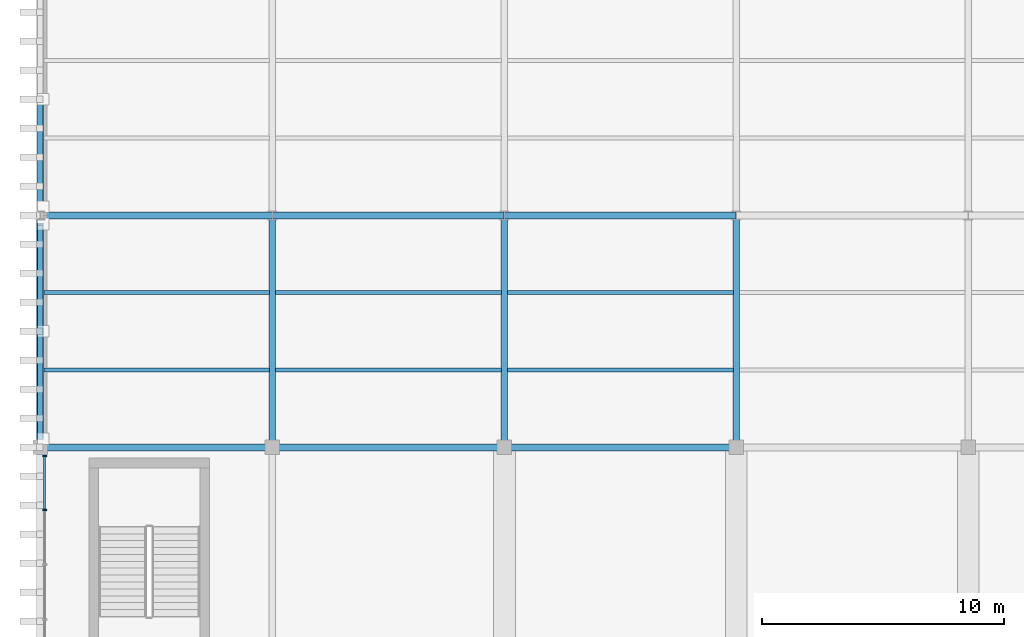
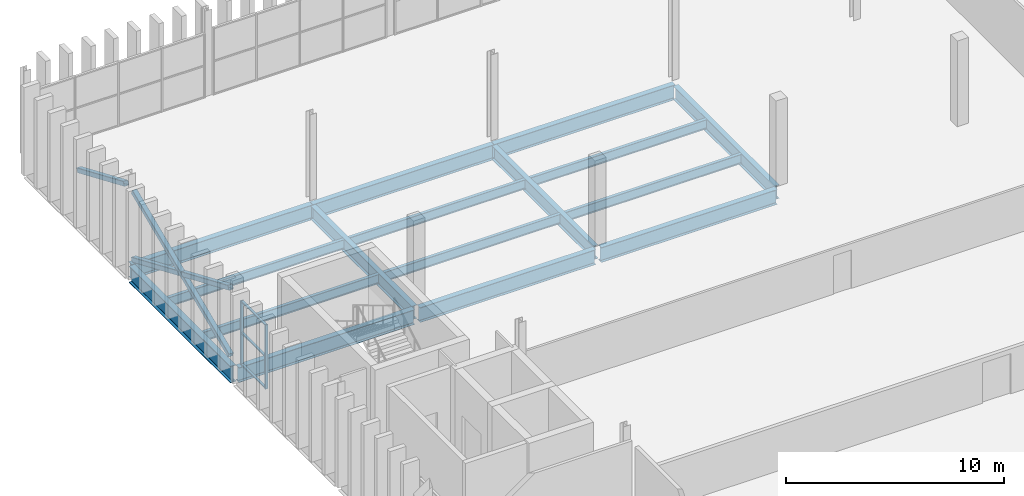
# One storey, part 24 of 99: 16 beams, 9 members, 1 element without a shape of its own.
"""IFC4 building model written with IfcOpenShell, lengths in metres."""

from ifc_helpers import new_model, si_unit, direction, frame, origin, origin_2d, place, context, subcontext, project, spatial, rectangle, hollow_rectangle, i_section, extrude, material, layer, layer_set, material_profile, profile_set, type_object, element, aggregate, save


model = new_model("IFC4")

# Units and contexts
model_context = context("Model", 3, precision=1e-05, world=origin(), true_north=direction((0.0, 1.0)))
body_context = subcontext(model_context, "Body", "Model", "MODEL_VIEW")
ifc_project = project(units=[si_unit("LENGTHUNIT", "METRE"), si_unit("AREAUNIT", "SQUARE_METRE"), si_unit("VOLUMEUNIT", "CUBIC_METRE"), si_unit("PLANEANGLEUNIT", "RADIAN"), si_unit("MASSUNIT", "GRAM", prefix="KILO")], contexts=[model_context])

# Site, building, storey
site_placement = place(None, origin())
site = spatial("IfcSite", under=ifc_project, at=site_placement, CompositionType="ELEMENT")
building_placement = place(site_placement, origin())
building = spatial("IfcBuilding", under=site, at=building_placement, Name="Caelomonte Colonnade Arena", CompositionType="ELEMENT")
storey_placement = place(building_placement, frame((0.0, 0.0, 4.800048828125)))
storey = spatial("IfcBuildingStorey", under=building, at=storey_placement, Name="L01", CompositionType="ELEMENT", Elevation=4.800048828125)

# Curtain wall, members
ifc_material_1 = material(Name="Bronze anodised aluminium and low-E glazing", Category="aluminium")
ifc_layer = layer(ifc_material_1, 0.179931640625)
ifc_layer_set = layer_set([ifc_layer], Name="Bronze anodised aluminium and low-E glazing")
curtain_wall_type = type_object("IfcCurtainWallType", Name="ENV-CW-CW-L01-96-36", PredefinedType="USERDEFINED", material=ifc_layer_set)
curtain_wall_placement = place(storey_placement, origin())
curtain_wall = element("IfcCurtainWall", 1, at=curtain_wall_placement, inside=storey, type_object=curtain_wall_type, Name="L01 unitized curtain wall CW-L01-0002-0624", ObjectType="UNITIZED CURTAIN WALL", PredefinedType="USERDEFINED")
ifc_material_2 = material(Name="Bronze anodised aluminium AA6063-T6", Category="aluminium")
ifc_material_profile_1 = material_profile(ifc_material_2, rectangle(XDim=0.06494140625, YDim=0.14990234375, at=origin_2d()), Name="CWM-65X150")
ifc_profile_set_1 = profile_set([ifc_material_profile_1], Name="Bronze anodised aluminium AA6063-T6")
member_type_1 = type_object("IfcMemberType", Name="ENV-CW-MULL2", PredefinedType="MULLION", material=ifc_profile_set_1)
member_1_placement = place(storey_placement, frame((0.179931640625, 66.847412109375, 0.0), z_axis=(0.0, 0.0, 1.0), x_axis=(0.0, -1.0, 0.0)))
member_1 = element("IfcMember", 2, at=member_1_placement, type_object=member_type_1, Name="CW-L01-96-36 mullion 1", PredefinedType="MULLION", context=body_context, shape_type="SweptSolid", body=[
    extrude(rectangle(XDim=0.06494140625, YDim=0.14990234375, at=origin_2d()), origin(), (0.0, 0.0, 1.0), 3.593017578125),
])
member_2_placement = place(storey_placement, frame((0.179931640625, 64.611083984375, 0.0), z_axis=(0.0, 0.0, 1.0), x_axis=(0.0, -1.0, 0.0)))
member_2 = element("IfcMember", 3, at=member_2_placement, type_object=member_type_1, Name="CW-L01-96-36 mullion 2", PredefinedType="MULLION", context=body_context, shape_type="SweptSolid", body=[
    extrude(rectangle(XDim=0.06494140625, YDim=0.14990234375, at=origin_2d()), origin(), (0.0, 0.0, 1.0), 3.593017578125),
])
ifc_material_profile_2 = material_profile(ifc_material_2, rectangle(XDim=0.06494140625, YDim=0.1201171875, at=origin_2d()), Name="CWT-65X120")
ifc_profile_set_2 = profile_set([ifc_material_profile_2], Name="Bronze anodised aluminium AA6063-T6")
member_type_2 = type_object("IfcMemberType", Name="ENV-CW-TRAN2", PredefinedType="USERDEFINED", material=ifc_profile_set_2)
member_3_placement = place(storey_placement, frame((0.179931640625, 66.81494140625, 0.032470703125), z_axis=(0.0, -1.0, 0.0), x_axis=(0.0, 0.0, 1.0)))
member_3 = element("IfcMember", 4, at=member_3_placement, type_object=member_type_2, Name="CW-L01-96-36 transom 1.1", ObjectType="TRANSOM", PredefinedType="USERDEFINED", context=body_context, shape_type="SweptSolid", body=[
    extrude(rectangle(XDim=0.06494140625, YDim=0.1201171875, at=origin_2d()), origin(), (0.0, 0.0, 1.0), 2.17138671875),
])
member_4_placement = place(storey_placement, frame((0.179931640625, 66.81494140625, 1.79638671875), z_axis=(0.0, -1.0, 0.0), x_axis=(0.0, 0.0, 1.0)))
member_4 = element("IfcMember", 5, at=member_4_placement, type_object=member_type_2, Name="CW-L01-96-36 transom 1.2", ObjectType="TRANSOM", PredefinedType="USERDEFINED", context=body_context, shape_type="SweptSolid", body=[
    extrude(rectangle(XDim=0.06494140625, YDim=0.1201171875, at=origin_2d()), origin(), (0.0, 0.0, 1.0), 2.17138671875),
])
member_5_placement = place(storey_placement, frame((0.179931640625, 66.81494140625, 3.560546875), z_axis=(0.0, -1.0, 0.0), x_axis=(0.0, 0.0, 1.0)))
member_5 = element("IfcMember", 6, at=member_5_placement, type_object=member_type_2, Name="CW-L01-96-36 transom 1.3", ObjectType="TRANSOM", PredefinedType="USERDEFINED", context=body_context, shape_type="SweptSolid", body=[
    extrude(rectangle(XDim=0.06494140625, YDim=0.1201171875, at=origin_2d()), origin(), (0.0, 0.0, 1.0), 2.17138671875),
])
aggregate(curtain_wall, [member_1, member_2, member_3, member_4, member_5])

# Members
ifc_material_3 = material(Name="Steel ASTM A500 Grade C", Category="steel")
ifc_material_profile_3 = material_profile(ifc_material_3, hollow_rectangle(XDim=0.25390625, YDim=0.25390625, WallThickness=0.009521484375, InnerFilletRadius=0.009521484375, OuterFilletRadius=0.01904296875, at=origin_2d()), Name="HSS254X254X9.5")
ifc_profile_set_3 = profile_set([ifc_material_profile_3], Name="Steel ASTM A500 Grade C")
member_type_3 = type_object("IfcMemberType", Name="STR-BF-DIAG2", PredefinedType="BRACE", material=ifc_profile_set_3)
member_6_placement = place(storey_placement, frame((0.0, 67.563720703125, 0.16162109375), z_axis=(0.0, 0.91936602126, 0.393403252342), x_axis=(-1.0, 0.0, 0.0)))
element("IfcMember", 7, at=member_6_placement, inside=storey, type_object=member_type_3, Name="Braced frame BF1 L01 continuous diagonal A", PredefinedType="BRACE", context=body_context, shape_type="SweptSolid", body=[
    extrude(hollow_rectangle(XDim=0.25390625, YDim=0.25390625, WallThickness=0.009521484375, InnerFilletRadius=0.009521484375, OuterFilletRadius=0.01904296875, at=origin_2d()), origin(), (0.0, 0.0, 1.0), 9.650634765625),
])
for number, where, z_axis, x_axis, name in (
    (8, (0.0, 76.436279296875, 0.16162109375), (0.0, -0.919367033024, 0.393400887885), (1.0, 0.0, 0.0), "Braced frame BF1 L01 split diagonal B1"),
    (9, (0.0, 71.84912109375, 2.12451171875), (0.0, -0.919367033024, 0.393400887885), (1.0, 0.0, 0.0), "Braced frame BF1 L01 split diagonal B2"),
    (10, (0.0, 81.44921875, 2.12451171875), (0.0, -0.919367033024, 0.393400887885), (1.0, 0.0, 0.0), "Braced frame BF2 L01 split diagonal B2"),
):
    element("IfcMember", number, at=place(storey_placement, frame(where, z_axis=z_axis, x_axis=x_axis)), inside=storey, type_object=member_type_3, Name=name, PredefinedType="BRACE", context=body_context, shape_type="SweptSolid", body=[
        extrude(hollow_rectangle(XDim=0.25390625, YDim=0.25390625, WallThickness=0.009521484375, InnerFilletRadius=0.009521484375, OuterFilletRadius=0.01904296875, at=origin_2d()), origin(), (0.0, 0.0, 1.0), 4.6611328125),
    ])

# Beams
ifc_material_4 = material(Name="Wide-flange steel ASTM A992 Grade 50", Category="steel")
ifc_material_profile_4 = material_profile(ifc_material_4, i_section(OverallWidth=0.307861328125, OverallDepth=0.927001953125, WebThickness=0.019287109375, FlangeThickness=0.031982421875, FilletRadius=0.020263671875, at=origin_2d()), Name="W36X194")
ifc_profile_set_4 = profile_set([ifc_material_profile_4], Name="Wide-flange steel ASTM A992 Grade 50")
beam_type_1 = type_object("IfcBeamType", Name="STR-BM-EAVES2", PredefinedType="SPANDREL", material=ifc_profile_set_4)
beam_1_placement = place(storey_placement, frame((0.0, 67.344482421875, -0.763427734375), z_axis=(0.0, 1.0, 0.0), x_axis=(-1.0, 0.0, 0.0)))
element("IfcBeam", 11, at=beam_1_placement, inside=storey, type_object=beam_type_1, Name="L01 girder BMY-L01-0000-0672", PredefinedType="SPANDREL", context=body_context, shape_type="SweptSolid", body=[
    extrude(i_section(OverallWidth=0.307861328125, OverallDepth=0.927001953125, WebThickness=0.019287109375, FlangeThickness=0.031982421875, FilletRadius=0.020263671875, at=origin_2d()), origin(), (0.0, 0.0, 1.0), 9.285400390625),
])
ifc_material_profile_5 = material_profile(ifc_material_4, i_section(OverallWidth=0.2666015625, OverallDepth=0.761962890625, WebThickness=0.014404296875, FlangeThickness=0.021484375, FilletRadius=0.0166015625, at=origin_2d()), Name="W30X116")
ifc_profile_set_5 = profile_set([ifc_material_profile_5], Name="Wide-flange steel ASTM A992 Grade 50")
beam_type_2 = type_object("IfcBeamType", Name="STR-BM-GIRD30", PredefinedType="BEAM", material=ifc_profile_set_5)
for number, where, z_axis, x_axis, name in (
    (12, (9.60009765625, 67.344482421875, -0.68115234375), (0.0, 1.0, 0.0), (-1.0, 0.0, 0.0), "L01 girder BMY-L01-0096-0672"),
    (13, (19.199951171875, 67.344482421875, -0.68115234375), (0.0, 1.0, 0.0), (-1.0, 0.0, 0.0), "L01 girder BMY-L01-0192-0672"),
    (14, (28.800048828125, 67.344482421875, -0.68115234375), (0.0, 1.0, 0.0), (-1.0, 0.0, 0.0), "L01 girder BMY-L01-0288-0672"),
):
    element("IfcBeam", number, at=place(storey_placement, frame(where, z_axis=z_axis, x_axis=x_axis)), inside=storey, type_object=beam_type_2, Name=name, PredefinedType="BEAM", context=body_context, shape_type="SweptSolid", body=[
        extrude(i_section(OverallWidth=0.2666015625, OverallDepth=0.761962890625, WebThickness=0.014404296875, FlangeThickness=0.021484375, FilletRadius=0.0166015625, at=origin_2d()), origin(), (0.0, 0.0, 1.0), 9.285400390625),
    ])
ifc_material_profile_6 = material_profile(ifc_material_4, i_section(OverallWidth=0.2919921875, OverallDepth=0.835693359375, WebThickness=0.013916015625, FlangeThickness=0.018798828125, FilletRadius=0.017822265625, at=origin_2d()), Name="W33X118")
ifc_profile_set_6 = profile_set([ifc_material_profile_6], Name="Wide-flange steel ASTM A992 Grade 50")
beam_type_3 = type_object("IfcBeamType", Name="STR-BM-GIRD33B", PredefinedType="BEAM", material=ifc_profile_set_6)
for number, where, z_axis, x_axis, name in (
    (15, (0.144287109375, 67.199951171875, -0.7177734375), (1.0, 0.0, 0.0), (0.0, 1.0, 0.0), "L01 girder BMX-L01-0000-0672"),
    (16, (9.744384765625, 67.199951171875, -0.7177734375), (1.0, 0.0, 0.0), (0.0, 1.0, 0.0), "L01 girder BMX-L01-0096-0672"),
):
    element("IfcBeam", number, at=place(storey_placement, frame(where, z_axis=z_axis, x_axis=x_axis)), inside=storey, type_object=beam_type_3, Name=name, PredefinedType="BEAM", context=body_context, shape_type="SweptSolid", body=[
        extrude(i_section(OverallWidth=0.2919921875, OverallDepth=0.835693359375, WebThickness=0.013916015625, FlangeThickness=0.018798828125, FilletRadius=0.017822265625, at=origin_2d()), origin(), (0.0, 0.0, 1.0), 9.311279296875),
    ])
beam_2_placement = place(storey_placement, frame((19.344482421875, 67.199951171875, -0.7177734375), z_axis=(1.0, 0.0, 0.0), x_axis=(0.0, 1.0, 0.0)))
element("IfcBeam", 17, at=beam_2_placement, inside=storey, type_object=beam_type_3, Name="L01 girder BMX-L01-0192-0672", PredefinedType="BEAM", context=body_context, shape_type="SweptSolid", body=[
    extrude(i_section(OverallWidth=0.2919921875, OverallDepth=0.835693359375, WebThickness=0.013916015625, FlangeThickness=0.018798828125, FilletRadius=0.017822265625, at=origin_2d()), origin(), (0.0, 0.0, 1.0), 9.31103515625),
])
beam_3_placement = place(storey_placement, frame((0.005615234375, 76.800048828125, -0.7177734375), z_axis=(1.0, 0.0, 0.0), x_axis=(0.0, 1.0, 0.0)))
element("IfcBeam", 18, at=beam_3_placement, inside=storey, type_object=beam_type_3, Name="L01 girder BMX-L01-0000-0768", PredefinedType="BEAM", context=body_context, shape_type="SweptSolid", body=[
    extrude(i_section(OverallWidth=0.2919921875, OverallDepth=0.835693359375, WebThickness=0.013916015625, FlangeThickness=0.018798828125, FilletRadius=0.017822265625, at=origin_2d()), origin(), (0.0, 0.0, 1.0), 9.5888671875),
])
beam_4_placement = place(storey_placement, frame((9.605712890625, 76.800048828125, -0.7177734375), z_axis=(1.0, 0.0, 0.0), x_axis=(0.0, 1.0, 0.0)))
element("IfcBeam", 19, at=beam_4_placement, inside=storey, type_object=beam_type_3, Name="L01 girder BMX-L01-0096-0768", PredefinedType="BEAM", context=body_context, shape_type="SweptSolid", body=[
    extrude(i_section(OverallWidth=0.2919921875, OverallDepth=0.835693359375, WebThickness=0.013916015625, FlangeThickness=0.018798828125, FilletRadius=0.017822265625, at=origin_2d()), origin(), (0.0, 0.0, 1.0), 9.588623046875),
])
beam_5_placement = place(storey_placement, frame((19.20556640625, 76.800048828125, -0.7177734375), z_axis=(1.0, 0.0, 0.0), x_axis=(0.0, 1.0, 0.0)))
element("IfcBeam", 20, at=beam_5_placement, inside=storey, type_object=beam_type_3, Name="L01 girder BMX-L01-0192-0768", PredefinedType="BEAM", context=body_context, shape_type="SweptSolid", body=[
    extrude(i_section(OverallWidth=0.2919921875, OverallDepth=0.835693359375, WebThickness=0.013916015625, FlangeThickness=0.018798828125, FilletRadius=0.017822265625, at=origin_2d()), origin(), (0.0, 0.0, 1.0), 9.5888671875),
])
ifc_material_profile_7 = material_profile(ifc_material_4, i_section(OverallWidth=0.166015625, OverallDepth=0.5283203125, WebThickness=0.009765625, FlangeThickness=0.013671875, FilletRadius=0.0126953125, at=origin_2d()), Name="W21X50")
ifc_profile_set_7 = profile_set([ifc_material_profile_7], Name="Wide-flange steel ASTM A992 Grade 50")
beam_type_4 = type_object("IfcBeamType", Name="STR-BM-JOIST21B", PredefinedType="JOIST", material=ifc_profile_set_7)
for number, where, z_axis, x_axis, name in (
    (21, (0.14892578125, 70.39990234375, -0.564208984375), (1.0, 0.0, 0.0), (0.0, 1.0, 0.0), "L01 secondary joist 1"),
    (22, (0.14892578125, 73.60009765625, -0.564208984375), (1.0, 0.0, 0.0), (0.0, 1.0, 0.0), "L01 secondary joist 2"),
):
    element("IfcBeam", number, at=place(storey_placement, frame(where, z_axis=z_axis, x_axis=x_axis)), inside=storey, type_object=beam_type_4, Name=name, PredefinedType="JOIST", context=body_context, shape_type="SweptSolid", body=[
        extrude(i_section(OverallWidth=0.166015625, OverallDepth=0.5283203125, WebThickness=0.009765625, FlangeThickness=0.013671875, FilletRadius=0.0126953125, at=origin_2d()), origin(), (0.0, 0.0, 1.0), 9.32275390625),
    ])
for number, where, z_axis, x_axis, name in (
    (23, (9.728271484375, 70.39990234375, -0.564208984375), (1.0, 0.0, 0.0), (0.0, 1.0, 0.0), "L01 secondary joist 1"),
    (24, (9.728271484375, 73.60009765625, -0.564208984375), (1.0, 0.0, 0.0), (0.0, 1.0, 0.0), "L01 secondary joist 2"),
    (25, (19.328369140625, 70.39990234375, -0.564208984375), (1.0, 0.0, 0.0), (0.0, 1.0, 0.0), "L01 secondary joist 1"),
    (26, (19.328369140625, 73.60009765625, -0.564208984375), (1.0, 0.0, 0.0), (0.0, 1.0, 0.0), "L01 secondary joist 2"),
):
    element("IfcBeam", number, at=place(storey_placement, frame(where, z_axis=z_axis, x_axis=x_axis)), inside=storey, type_object=beam_type_4, Name=name, PredefinedType="JOIST", context=body_context, shape_type="SweptSolid", body=[
        extrude(i_section(OverallWidth=0.166015625, OverallDepth=0.5283203125, WebThickness=0.009765625, FlangeThickness=0.013671875, FilletRadius=0.0126953125, at=origin_2d()), origin(), (0.0, 0.0, 1.0), 9.34326171875),
    ])

save(model, "model.ifc")
